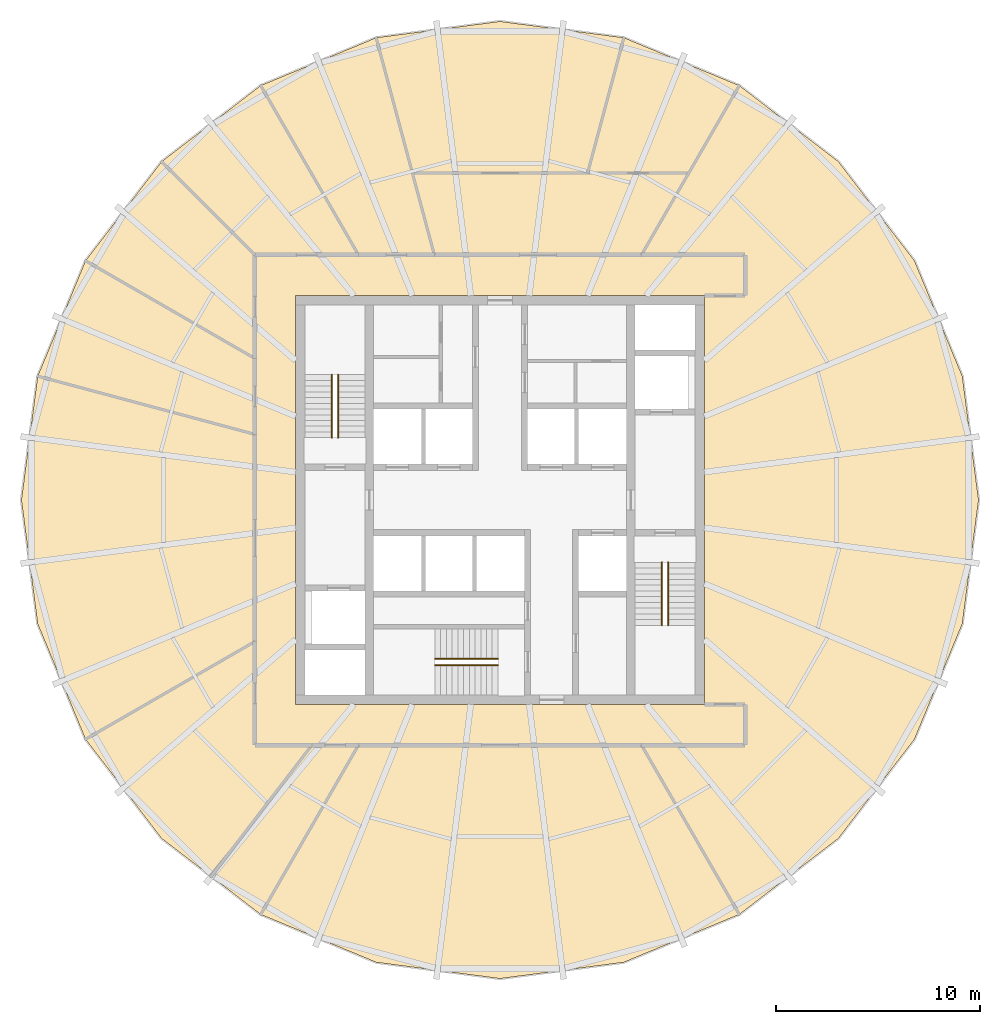
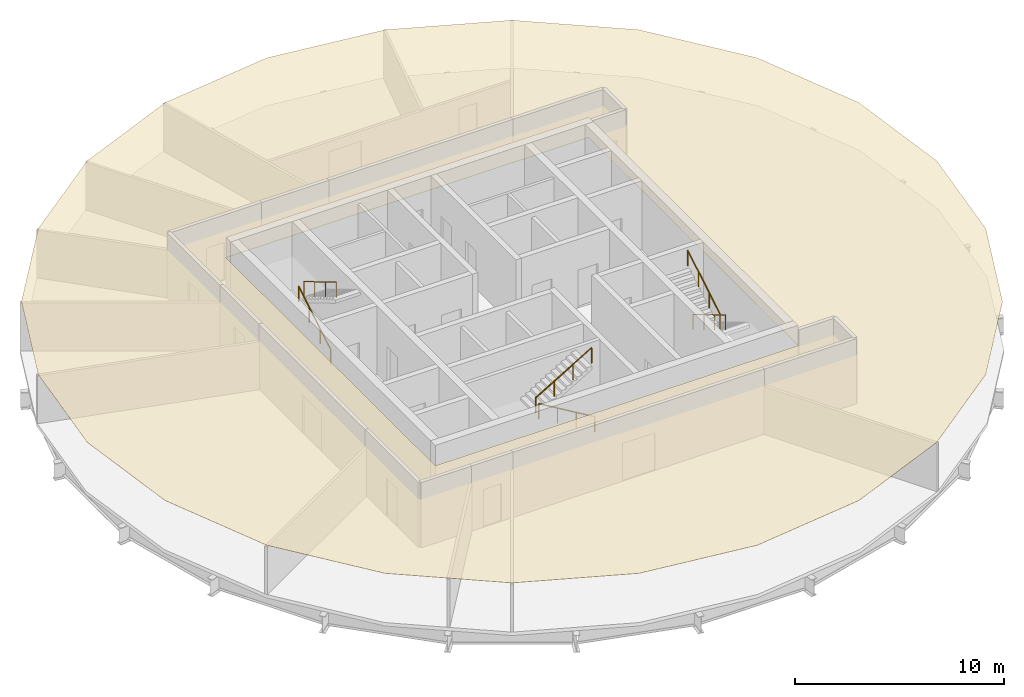
# One storey, part 5 of 5: 6 railings, 1 covering.
"""IFC4 building model written with IfcOpenShell, lengths in metres."""

from ifc_helpers import new_model, si_unit, direction, frame, origin, origin_2d, place, context, subcontext, project, spatial, polyline, circle, outline, extrude, material, layer, layer_set, type_object, element, save


model = new_model("IFC4")

# Units and contexts
model_context = context("Model", 3, precision=1e-05, world=origin(), true_north=direction((0.0, 1.0)))
body_context = subcontext(model_context, "Body", "Model", "MODEL_VIEW")
ifc_project = project(units=[si_unit("LENGTHUNIT", "METRE"), si_unit("AREAUNIT", "SQUARE_METRE"), si_unit("VOLUMEUNIT", "CUBIC_METRE"), si_unit("PLANEANGLEUNIT", "RADIAN"), si_unit("MASSUNIT", "GRAM", prefix="KILO")], contexts=[model_context])

# Site, building, storey
site_placement = place(None, origin())
site = spatial("IfcSite", under=ifc_project, at=site_placement, CompositionType="ELEMENT")
building_placement = place(site_placement, origin())
building = spatial("IfcBuilding", under=site, at=building_placement, Name="Golbaran Civic Tower", CompositionType="ELEMENT")
storey_placement = place(building_placement, frame((0.0, 0.0, 207.0)))
storey = spatial("IfcBuildingStorey", under=building, at=storey_placement, Name="L50", CompositionType="ELEMENT", Elevation=207.0)

# Railings
ifc_material_1 = material(Name="Stainless steel", Category="steel")
railing_type = type_object("IfcRailingType", Name="STAIR HANDRAIL 900", PredefinedType="HANDRAIL", material=ifc_material_1)
railing_1_placement = place(storey_placement, frame((-8.22509765625, 3.050048828125, 0.166748046875)))
element("IfcRailing", 1, at=railing_1_placement, inside=storey, type_object=railing_type, Name="Stair S1 handrail flight 1 L50", PredefinedType="HANDRAIL", context=body_context, shape_type="SweptSolid", body=[
    extrude(circle(Radius=0.02392578125, at=origin_2d()), frame((0.0, 0.0, 0.8759765625), z_axis=(0.0, 0.859290745958, 0.51148745235), x_axis=(-1.0, 0.0, 0.0)), (0.0, 0.0, 1.0), 3.584228515625),
    extrude(circle(Radius=0.02099609375, at=origin_2d()), origin(), (0.0, 0.0, 1.0), 0.851806640625),
    extrude(circle(Radius=0.02099609375, at=origin_2d()), frame((0.0, 1.026611328125, 0.611083984375)), (0.0, 0.0, 1.0), 0.851806640625),
    extrude(circle(Radius=0.02099609375, at=origin_2d()), frame((0.0, 2.05322265625, 1.22216796875)), (0.0, 0.0, 1.0), 0.851806640625),
    extrude(circle(Radius=0.02099609375, at=origin_2d()), frame((0.0, 3.079833984375, 1.833251953125)), (0.0, 0.0, 1.0), 0.851806640625),
])
for number, where, name in (
    (2, (-7.925048828125, 6.1298828125, 2.166748046875), "Stair S1 handrail flight 2 L50"),
    (3, (8.22509765625, -3.050048828125, 0.166748046875), "Stair S2 handrail flight 1 L50"),
):
    element("IfcRailing", number, at=place(storey_placement, frame(where)), inside=storey, type_object=railing_type, Name=name, PredefinedType="HANDRAIL", context=body_context, shape_type="SweptSolid", body=[
        extrude(circle(Radius=0.02392578125, at=origin_2d()), frame((0.0, 0.0, 0.8759765625), z_axis=(0.0, -0.859290745958, 0.51148745235), x_axis=(1.0, 0.0, 0.0)), (0.0, 0.0, 1.0), 3.584228515625),
        extrude(circle(Radius=0.02099609375, at=origin_2d()), origin(), (0.0, 0.0, 1.0), 0.851806640625),
        extrude(circle(Radius=0.02099609375, at=origin_2d()), frame((0.0, -1.026611328125, 0.611083984375)), (0.0, 0.0, 1.0), 0.851806640625),
        extrude(circle(Radius=0.02099609375, at=origin_2d()), frame((0.0, -2.05322265625, 1.22216796875)), (0.0, 0.0, 1.0), 0.851806640625),
        extrude(circle(Radius=0.02099609375, at=origin_2d()), frame((0.0, -3.079833984375, 1.833251953125)), (0.0, 0.0, 1.0), 0.851806640625),
    ])
railing_2_placement = place(storey_placement, frame((7.925048828125, -6.1298828125, 2.166748046875)))
element("IfcRailing", 4, at=railing_2_placement, inside=storey, type_object=railing_type, Name="Stair S2 handrail flight 2 L50", PredefinedType="HANDRAIL", context=body_context, shape_type="SweptSolid", body=[
    extrude(circle(Radius=0.02392578125, at=origin_2d()), frame((0.0, 0.0, 0.8759765625), z_axis=(0.0, 0.859290745958, 0.51148745235), x_axis=(-1.0, 0.0, 0.0)), (0.0, 0.0, 1.0), 3.584228515625),
    extrude(circle(Radius=0.02099609375, at=origin_2d()), origin(), (0.0, 0.0, 1.0), 0.851806640625),
    extrude(circle(Radius=0.02099609375, at=origin_2d()), frame((0.0, 1.026611328125, 0.611083984375)), (0.0, 0.0, 1.0), 0.851806640625),
    extrude(circle(Radius=0.02099609375, at=origin_2d()), frame((0.0, 2.05322265625, 1.22216796875)), (0.0, 0.0, 1.0), 0.851806640625),
    extrude(circle(Radius=0.02099609375, at=origin_2d()), frame((0.0, 3.079833984375, 1.833251953125)), (0.0, 0.0, 1.0), 0.851806640625),
])
railing_3_placement = place(storey_placement, frame((-0.10009765625, -8.074951171875, 0.166748046875)))
element("IfcRailing", 5, at=railing_3_placement, inside=storey, type_object=railing_type, Name="Stair S3 handrail flight 1 L50", PredefinedType="HANDRAIL", context=body_context, shape_type="SweptSolid", body=[
    extrude(circle(Radius=0.02392578125, at=origin_2d()), frame((0.0, 0.0, 0.8759765625), z_axis=(-0.859290745958, 0.0, 0.51148745235), x_axis=(0.0, -1.0, 0.0)), (0.0, 0.0, 1.0), 3.584228515625),
    extrude(circle(Radius=0.02099609375, at=origin_2d()), origin(), (0.0, 0.0, 1.0), 0.851806640625),
    extrude(circle(Radius=0.02099609375, at=origin_2d()), frame((-1.026611328125, 0.0, 0.611083984375)), (0.0, 0.0, 1.0), 0.851806640625),
    extrude(circle(Radius=0.02099609375, at=origin_2d()), frame((-2.05322265625, 0.0, 1.22216796875)), (0.0, 0.0, 1.0), 0.851806640625),
    extrude(circle(Radius=0.02099609375, at=origin_2d()), frame((-3.079833984375, 0.0, 1.833251953125)), (0.0, 0.0, 1.0), 0.851806640625),
])
railing_4_placement = place(storey_placement, frame((-3.179931640625, -7.77490234375, 2.166748046875)))
element("IfcRailing", 6, at=railing_4_placement, inside=storey, type_object=railing_type, Name="Stair S3 handrail flight 2 L50", PredefinedType="HANDRAIL", context=body_context, shape_type="SweptSolid", body=[
    extrude(circle(Radius=0.02392578125, at=origin_2d()), frame((0.0, 0.0, 0.8759765625), z_axis=(0.859290745958, 0.0, 0.51148745235), x_axis=(0.0, 1.0, 0.0)), (0.0, 0.0, 1.0), 3.584228515625),
    extrude(circle(Radius=0.02099609375, at=origin_2d()), origin(), (0.0, 0.0, 1.0), 0.851806640625),
    extrude(circle(Radius=0.02099609375, at=origin_2d()), frame((1.026611328125, 0.0, 0.611083984375)), (0.0, 0.0, 1.0), 0.851806640625),
    extrude(circle(Radius=0.02099609375, at=origin_2d()), frame((2.05322265625, 0.0, 1.22216796875)), (0.0, 0.0, 1.0), 0.851806640625),
    extrude(circle(Radius=0.02099609375, at=origin_2d()), frame((3.079833984375, 0.0, 1.833251953125)), (0.0, 0.0, 1.0), 0.851806640625),
])

# Covering
ifc_material_2 = material(Name="Mineral fibre tile on steel grid", Category="steel")
ifc_layer = layer(ifc_material_2, 0.02001953125, Name="Mineral fibre tile on steel grid")
ifc_layer_set = layer_set([ifc_layer], Name="Mineral fibre tile on steel grid")
covering_type = type_object("IfcCoveringType", Name="SUSPENDED CEILING 600 TILE 20", PredefinedType="CEILING", material=ifc_layer_set)
covering_placement = place(storey_placement, frame((0.0, 0.0, 2.800048828125)))
element("IfcCovering", 7, at=covering_placement, inside=storey, type_object=covering_type, Name="Suspended ceiling L50", PredefinedType="CEILING", context=body_context, shape_type="SweptSolid", body=[
    extrude(outline(polyline([(-11.70849609375, 20.27978515625), (-6.060791015625, 22.619140625), (0.0, 23.4169921875), (6.060791015625, 22.619140625), (11.70849609375, 20.27978515625), (16.558349609375, 16.558349609375), (20.27978515625, 11.70849609375), (22.619140625, 6.060791015625), (23.4169921875, 0.0), (22.619140625, -6.060791015625), (20.27978515625, -11.70849609375), (16.558349609375, -16.558349609375), (11.70849609375, -20.27978515625), (6.060791015625, -22.619140625), (0.0, -23.4169921875), (-6.060791015625, -22.619140625), (-11.70849609375, -20.27978515625), (-16.558349609375, -16.558349609375), (-20.27978515625, -11.70849609375), (-22.619140625, -6.060791015625), (-23.4169921875, 0.0), (-22.619140625, 6.060791015625), (-20.27978515625, 11.70849609375), (-16.558349609375, 16.558349609375), (-11.70849609375, 20.27978515625)]), holes=[polyline([(-10.0, 10.0), (-10.0, -10.0), (10.0, -10.0), (10.0, 10.0), (-10.0, 10.0)])]), origin(), (0.0, 0.0, 1.0), 0.02001953125),
])

save(model, "model.ifc")
